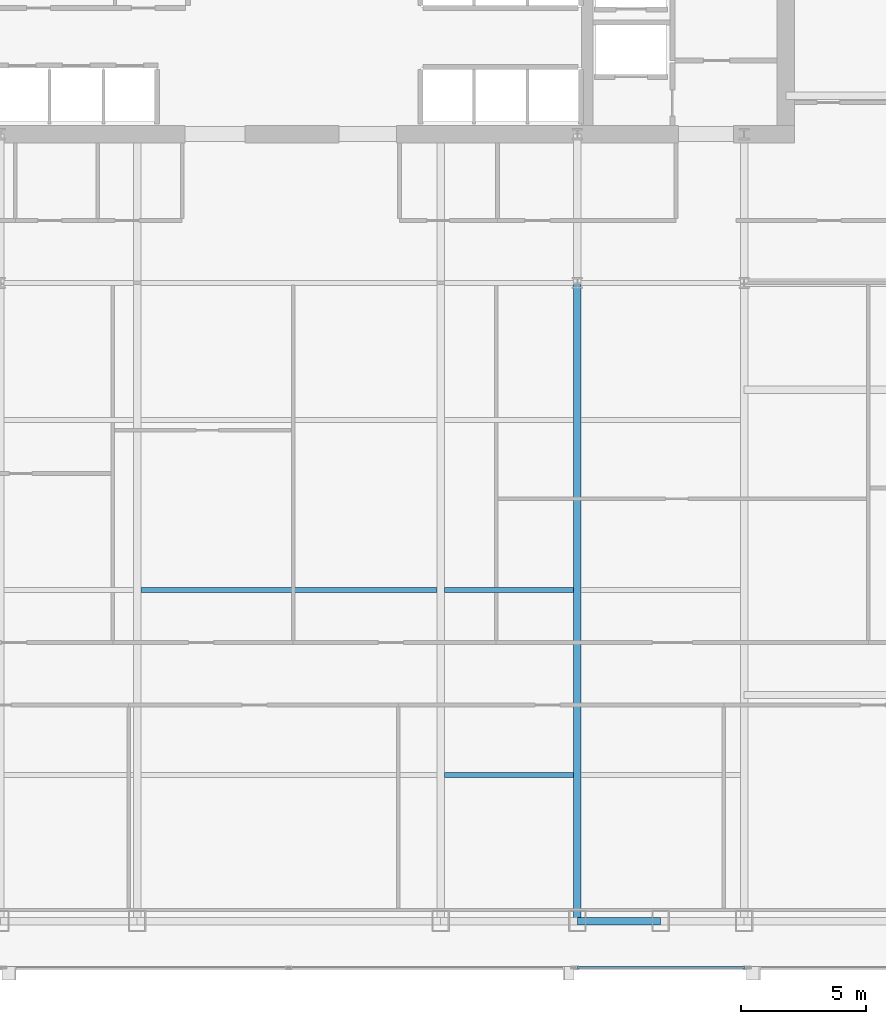
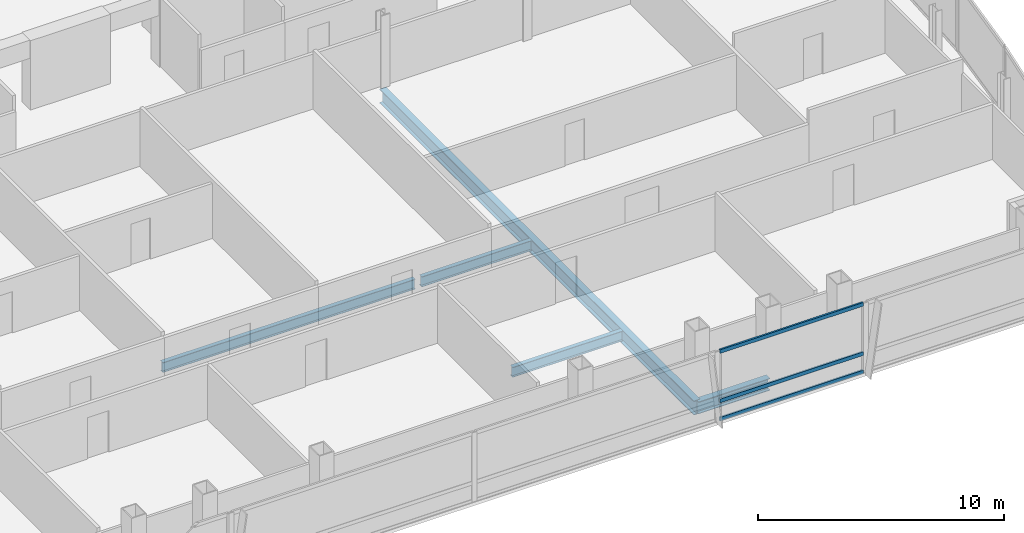
# One storey, part 14 of 29: 5 beams, 3 members, 1 element without a shape of its own.
"""IFC4 building model written with IfcOpenShell, lengths in metres."""

from ifc_helpers import new_model, si_unit, direction, frame, origin, origin_2d, place, context, subcontext, project, spatial, hollow_rectangle, i_section, extrude, material, material_profile, profile_set, type_object, element, aggregate, save


model = new_model("IFC4")

# Units and contexts
model_context = context("Model", 3, precision=1e-05, world=origin(), true_north=direction((0.0, 1.0)))
body_context = subcontext(model_context, "Body", "Model", "MODEL_VIEW")
ifc_project = project(units=[si_unit("LENGTHUNIT", "METRE"), si_unit("AREAUNIT", "SQUARE_METRE"), si_unit("VOLUMEUNIT", "CUBIC_METRE"), si_unit("PLANEANGLEUNIT", "RADIAN"), si_unit("MASSUNIT", "GRAM", prefix="KILO")], contexts=[model_context])

# Site, building, storey
site_placement = place(None, origin())
site = spatial("IfcSite", under=ifc_project, at=site_placement, CompositionType="ELEMENT")
building_placement = place(site_placement, origin())
building = spatial("IfcBuilding", under=site, at=building_placement, Name="Khoronbel Lancet Exchange", CompositionType="ELEMENT")
storey_placement = place(building_placement, frame((0.0, 0.0, 150.60009765625)))
storey = spatial("IfcBuildingStorey", under=building, at=storey_placement, Name="L37", CompositionType="ELEMENT", Elevation=150.60009765625)

# Beams
ifc_material_1 = material(Name="Steel S355", Category="steel")
ifc_material_profile_1 = material_profile(ifc_material_1, i_section(OverallWidth=0.300048828125, OverallDepth=0.699951171875, WebThickness=0.01708984375, FlangeThickness=0.031982421875, at=origin_2d()), Name="HEB 700")
ifc_profile_set_1 = profile_set([ifc_material_profile_1], Name="Steel S355")
beam_type_1 = type_object("IfcBeamType", Name="BM-BG3", PredefinedType="BEAM", material=ifc_profile_set_1)
beam_1_placement = place(storey_placement, frame((48.0, 10.14990234375, -0.510009765625), z_axis=(0.0, 1.0, 0.0), x_axis=(-1.0, 0.0, 0.0)))
element("IfcBeam", 1, at=beam_1_placement, inside=storey, type_object=beam_type_1, Name="Level L37 south primary girder GS5", PredefinedType="BEAM", context=body_context, shape_type="SweptSolid", body=[
    extrude(i_section(OverallWidth=0.300048828125, OverallDepth=0.699951171875, WebThickness=0.01708984375, FlangeThickness=0.031982421875, at=origin_2d()), origin(), (0.0, 0.0, 1.0), 25.550048828125),
])
ifc_material_profile_2 = material_profile(ifc_material_1, i_section(OverallWidth=0.199951171875, OverallDepth=0.5, WebThickness=0.01025390625, FlangeThickness=0.01611328125, at=origin_2d()), Name="IPE 500")
ifc_profile_set_2 = profile_set([ifc_material_profile_2], Name="Steel S355")
beam_type_2 = type_object("IfcBeamType", Name="BM-BJ3", PredefinedType="JOIST", material=ifc_profile_set_2)
beam_2_placement = place(storey_placement, frame((42.675048828125, 16.0, -0.41015625), z_axis=(1.0, 0.0, 0.0), x_axis=(0.0, 1.0, 0.0)))
element("IfcBeam", 2, at=beam_2_placement, inside=storey, type_object=beam_type_2, Name="Level L37 secondary composite joist J04", PredefinedType="JOIST", context=body_context, shape_type="SweptSolid", body=[
    extrude(i_section(OverallWidth=0.199951171875, OverallDepth=0.5, WebThickness=0.01025390625, FlangeThickness=0.01611328125, at=origin_2d()), origin(), (0.0, 0.0, 1.0), 5.175048828125),
])
beam_3_placement = place(storey_placement, frame((30.52490234375, 23.39990234375, -0.41015625), z_axis=(1.0, 0.0, 0.0), x_axis=(0.0, 1.0, 0.0)))
element("IfcBeam", 3, at=beam_3_placement, inside=storey, type_object=beam_type_2, Name="Level L37 secondary composite joist J08", PredefinedType="JOIST", context=body_context, shape_type="SweptSolid", body=[
    extrude(i_section(OverallWidth=0.199951171875, OverallDepth=0.5, WebThickness=0.01025390625, FlangeThickness=0.01611328125, at=origin_2d()), origin(), (0.0, 0.0, 1.0), 11.85009765625),
])
beam_4_placement = place(storey_placement, frame((42.675048828125, 23.39990234375, -0.41015625), z_axis=(1.0, 0.0, 0.0), x_axis=(0.0, 1.0, 0.0)))
element("IfcBeam", 4, at=beam_4_placement, inside=storey, type_object=beam_type_2, Name="Level L37 secondary composite joist J09", PredefinedType="JOIST", context=body_context, shape_type="SweptSolid", body=[
    extrude(i_section(OverallWidth=0.199951171875, OverallDepth=0.5, WebThickness=0.01025390625, FlangeThickness=0.01611328125, at=origin_2d()), origin(), (0.0, 0.0, 1.0), 5.175048828125),
])
ifc_material_profile_3 = material_profile(ifc_material_1, i_section(OverallWidth=0.300048828125, OverallDepth=0.60009765625, WebThickness=0.015380859375, FlangeThickness=0.030029296875, at=origin_2d()), Name="HEB 600")
ifc_profile_set_3 = profile_set([ifc_material_profile_3], Name="Steel S355")
beam_type_3 = type_object("IfcBeamType", Name="BM-BSP2", PredefinedType="SPANDREL", material=ifc_profile_set_3)
beam_5_placement = place(storey_placement, frame((48.0, 10.14990234375, -0.460205078125), z_axis=(1.0, 0.0, 0.0), x_axis=(0.0, 1.0, 0.0)))
element("IfcBeam", 5, at=beam_5_placement, inside=storey, type_object=beam_type_3, Name="Level L37 perimeter spandrel beam SP07", PredefinedType="SPANDREL", context=body_context, shape_type="SweptSolid", body=[
    extrude(i_section(OverallWidth=0.300048828125, OverallDepth=0.60009765625, WebThickness=0.015380859375, FlangeThickness=0.030029296875, at=origin_2d()), origin(), (0.0, 0.0, 1.0), 3.33740234375),
])

# Curtain wall, members
ifc_material_2 = material(Name="Low-E Solar Control Insulating Glass", Category="glass")
curtain_wall_type = type_object("IfcCurtainWallType", Name="CW-3", PredefinedType="NOTDEFINED", material=ifc_material_2)
curtain_wall_placement = place(storey_placement, origin())
curtain_wall = element("IfcCurtainWall", 6, at=curtain_wall_placement, inside=storey, type_object=curtain_wall_type, Name="Unitised curtain wall CW-L37-SEB", PredefinedType="NOTDEFINED")
ifc_material_3 = material(Name="Bronze-Anodised Aluminium 6063-T6", Category="aluminium")
ifc_material_profile_4 = material_profile(ifc_material_3, hollow_rectangle(XDim=0.0849609375, YDim=0.179931640625, WallThickness=0.0048828125, at=origin_2d()), Name="ALU TRANSOM 85x180")
ifc_profile_set_4 = profile_set([ifc_material_profile_4], Name="Bronze-Anodised Aluminium 6063-T6")
member_type = type_object("IfcMemberType", Name="MEM-CWT1", PredefinedType="USERDEFINED", material=ifc_profile_set_4)
member_1_placement = place(storey_placement, frame((47.985107421875, 8.2900390625, 0.04248046875), z_axis=(1.0, 0.0, 0.0), x_axis=(0.0, 1.0, 0.0)))
member_1 = element("IfcMember", 7, at=member_1_placement, type_object=member_type, Name="CW3 transom 1.1", ObjectType="TRANSOM", PredefinedType="USERDEFINED", context=body_context, shape_type="SweptSolid", body=[
    extrude(hollow_rectangle(XDim=0.0849609375, YDim=0.179931640625, WallThickness=0.0048828125, at=origin_2d()), origin(), (0.0, 0.0, 1.0), 6.72998046875),
])
member_2_placement = place(storey_placement, frame((47.985107421875, 8.2900390625, 0.949951171875), z_axis=(1.0, 0.0, 0.0), x_axis=(0.0, 1.0, 0.0)))
member_2 = element("IfcMember", 8, at=member_2_placement, type_object=member_type, Name="CW3 transom 1.2", ObjectType="TRANSOM", PredefinedType="USERDEFINED", context=body_context, shape_type="SweptSolid", body=[
    extrude(hollow_rectangle(XDim=0.0849609375, YDim=0.179931640625, WallThickness=0.0048828125, at=origin_2d()), origin(), (0.0, 0.0, 1.0), 6.72998046875),
])
member_3_placement = place(storey_placement, frame((47.985107421875, 8.2900390625, 3.3974609375), z_axis=(1.0, 0.0, 0.0), x_axis=(0.0, 1.0, 0.0)))
member_3 = element("IfcMember", 9, at=member_3_placement, type_object=member_type, Name="CW3 transom 1.3", ObjectType="TRANSOM", PredefinedType="USERDEFINED", context=body_context, shape_type="SweptSolid", body=[
    extrude(hollow_rectangle(XDim=0.0849609375, YDim=0.179931640625, WallThickness=0.0048828125, at=origin_2d()), origin(), (0.0, 0.0, 1.0), 6.72998046875),
])
aggregate(curtain_wall, [member_1, member_2, member_3])

save(model, "model.ifc")
